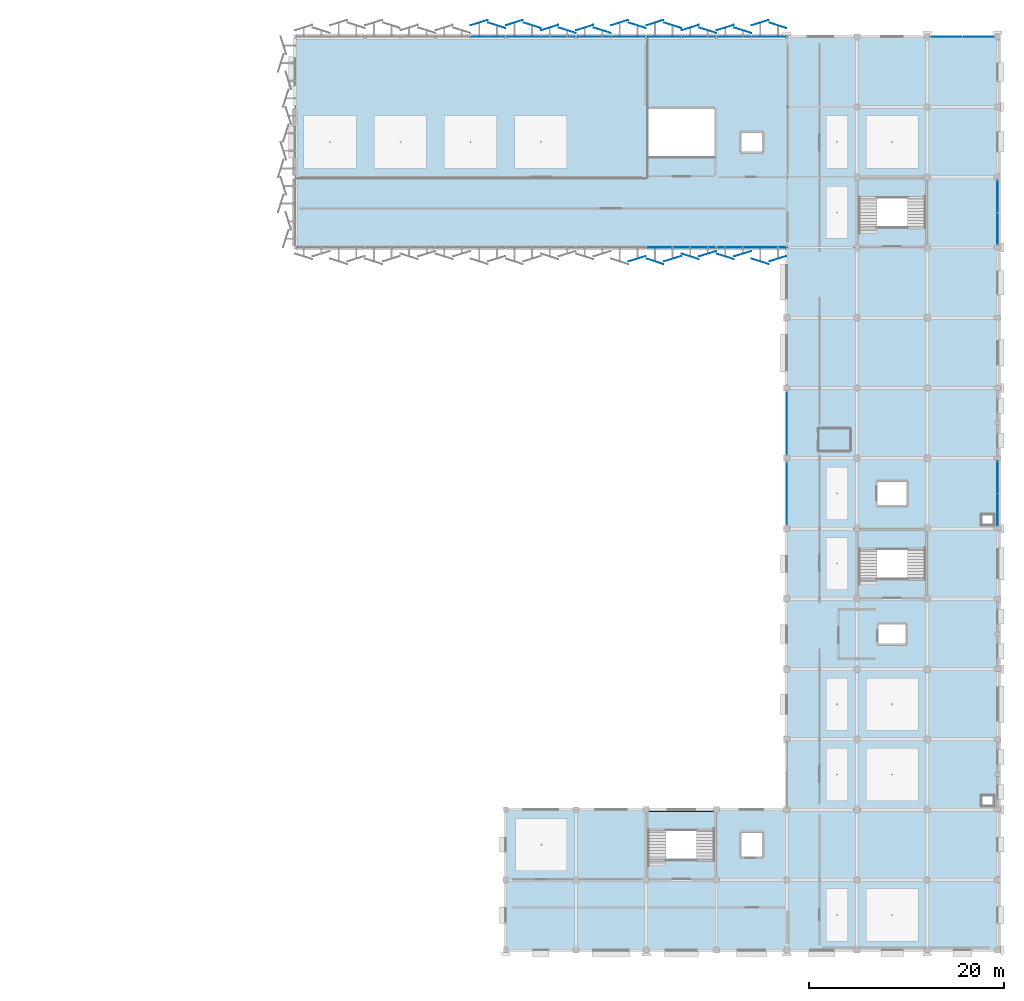
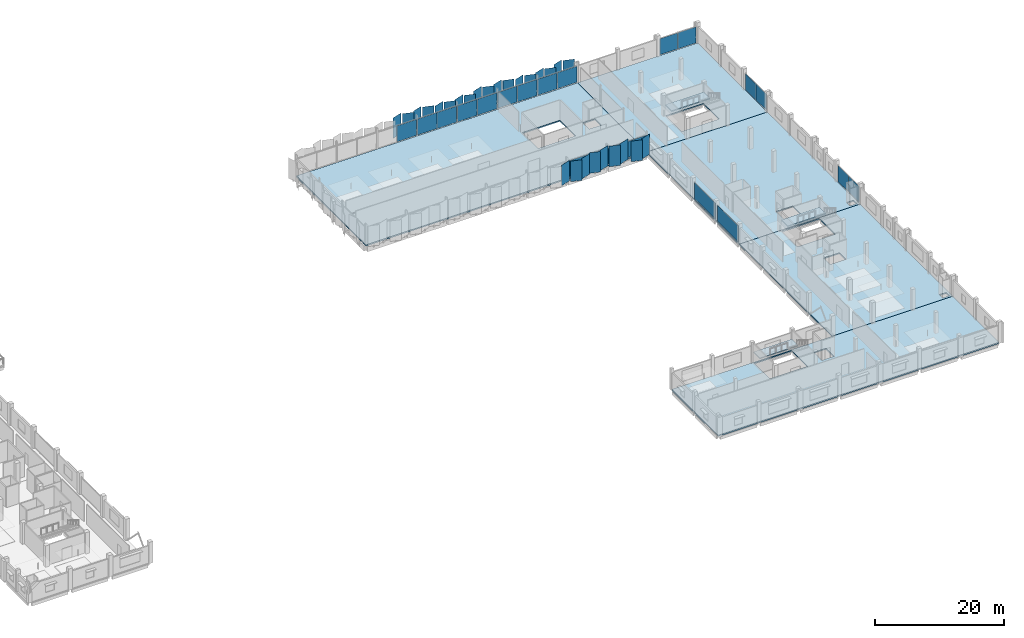
# One storey, part 49 of 77: 46 plates, 8 slabs, 15 elements without a shape of their own.
"""IFC4 building model written with IfcOpenShell, lengths in metres."""

from ifc_helpers import new_model, si_unit, direction, frame, origin, origin_2d, place, context, subcontext, project, spatial, polyline, rectangle, outline, extrude, material, layer, layer_set, type_object, element, aggregate, save


model = new_model("IFC4")

# Units and contexts
model_context = context("Model", 3, precision=1e-05, world=origin(), true_north=direction((0.0, 1.0)))
body_context = subcontext(model_context, "Body", "Model", "MODEL_VIEW")
ifc_project = project(units=[si_unit("LENGTHUNIT", "METRE"), si_unit("AREAUNIT", "SQUARE_METRE"), si_unit("VOLUMEUNIT", "CUBIC_METRE"), si_unit("PLANEANGLEUNIT", "RADIAN"), si_unit("MASSUNIT", "GRAM", prefix="KILO")], contexts=[model_context])

# Site, building, storey
site_placement = place(None, origin())
site = spatial("IfcSite", under=ifc_project, at=site_placement, CompositionType="ELEMENT")
building_placement = place(site_placement, origin())
building = spatial("IfcBuilding", under=site, at=building_placement, Name="Kangsadwip Square Police Headquarters", CompositionType="ELEMENT")
storey_placement = place(building_placement, frame((0.0, 0.0, 17.550048828125)))
storey = spatial("IfcBuildingStorey", under=building, at=storey_placement, Name="L04", CompositionType="ELEMENT", Elevation=17.550048828125)

# Curtain wall, plate
ifc_material_1 = material(Name="Thermally broken anodised aluminium AW-6063-T6", Category="aluminium")
ifc_layer_1 = layer(ifc_material_1, 0.159912109375)
ifc_layer_set_1 = layer_set([ifc_layer_1], Name="Thermally broken anodised aluminium AW-6063-T6")
curtain_wall_type_1 = type_object("IfcCurtainWallType", Name="CourtScreen7180x3300", PredefinedType="USERDEFINED", material=ifc_layer_set_1)
curtain_wall_1_placement = place(storey_placement, origin())
curtain_wall_1 = element("IfcCurtainWall", 1, at=curtain_wall_1_placement, inside=storey, type_object=curtain_wall_type_1, Name="Curtain Wall CW-L04-1296-0936", ObjectType="GLAZED_SCREEN", PredefinedType="USERDEFINED")
ifc_material_2 = material(Name="Double-glazed solar-control low-E safety glass", Category="glass")
ifc_layer_2 = layer(ifc_material_2, 0.02392578125)
ifc_layer_set_2 = layer_set([ifc_layer_2], Name="Double-glazed solar-control low-E safety glass")
plate_type_1 = type_object("IfcPlateType", Name="CwCourtVisionPanel24", PredefinedType="CURTAIN_PANEL", material=ifc_layer_set_2)
plate_1_placement = place(storey_placement, frame((133.199951171875, 93.60009765625, 0.119873046875), z_axis=(0.0, 0.0, 1.0), x_axis=(1.0, 0.0, 0.0)))
plate_1 = element("IfcPlate", 2, at=plate_1_placement, type_object=plate_type_1, Name="CW-42 panel 1.1", PredefinedType="CURTAIN_PANEL", context=body_context, shape_type="SweptSolid", body=[
    extrude(rectangle(XDim=7.06005859375, YDim=0.02392578125, at=origin_2d()), origin(), (0.0, 0.0, 1.0), 3.06005859375),
])
aggregate(curtain_wall_1, [plate_1])

curtain_wall_2_placement = place(storey_placement, origin())
curtain_wall_2 = element("IfcCurtainWall", 3, at=curtain_wall_2_placement, inside=storey, type_object=curtain_wall_type_1, Name="Curtain Wall CW-L04-1368-0936", ObjectType="GLAZED_SCREEN", PredefinedType="USERDEFINED")
plate_2_placement = place(storey_placement, frame((140.39990234375, 93.60009765625, 0.119873046875), z_axis=(0.0, 0.0, 1.0), x_axis=(1.0, 0.0, 0.0)))
plate_2 = element("IfcPlate", 4, at=plate_2_placement, type_object=plate_type_1, Name="CW-42 panel 1.1", PredefinedType="CURTAIN_PANEL", context=body_context, shape_type="SweptSolid", body=[
    extrude(rectangle(XDim=7.06005859375, YDim=0.02392578125, at=origin_2d()), origin(), (0.0, 0.0, 1.0), 3.06005859375),
])
aggregate(curtain_wall_2, [plate_2])

ifc_material_3 = material(Name="Thermally broken anodised aluminium AW-6063-T6", Category="aluminium")
ifc_layer_3 = layer(ifc_material_3, 0.159912109375)
ifc_layer_set_3 = layer_set([ifc_layer_3], Name="Thermally broken anodised aluminium AW-6063-T6")
curtain_wall_type_2 = type_object("IfcCurtainWallType", Name="CourtScreen6560x3300", PredefinedType="USERDEFINED", material=ifc_layer_set_3)
curtain_wall_3_placement = place(storey_placement, origin())
curtain_wall_3 = element("IfcCurtainWall", 5, at=curtain_wall_3_placement, inside=storey, type_object=curtain_wall_type_2, Name="Curtain Wall CW-L04-1440-0651", ObjectType="GLAZED_SCREEN", PredefinedType="USERDEFINED")
plate_3_placement = place(storey_placement, frame((144.0, 68.39990234375, 0.119873046875), z_axis=(0.0, 0.0, 1.0), x_axis=(0.0, 1.0, 0.0)))
plate_3 = element("IfcPlate", 6, at=plate_3_placement, type_object=plate_type_1, Name="CW-48 panel 1.1", PredefinedType="CURTAIN_PANEL", context=body_context, shape_type="SweptSolid", body=[
    extrude(rectangle(XDim=6.43994140625, YDim=0.02392578125, at=origin_2d()), origin(), (0.0, 0.0, 1.0), 3.06005859375),
])
aggregate(curtain_wall_3, [plate_3])

curtain_wall_4_placement = place(storey_placement, origin())
curtain_wall_4 = element("IfcCurtainWall", 7, at=curtain_wall_4_placement, inside=storey, type_object=curtain_wall_type_2, Name="Curtain Wall CW-L04-1440-0723", ObjectType="GLAZED_SCREEN", PredefinedType="USERDEFINED")
plate_4_placement = place(storey_placement, frame((144.0, 75.60009765625, 0.119873046875), z_axis=(0.0, 0.0, 1.0), x_axis=(0.0, 1.0, 0.0)))
plate_4 = element("IfcPlate", 8, at=plate_4_placement, type_object=plate_type_1, Name="CW-48 panel 1.1", PredefinedType="CURTAIN_PANEL", context=body_context, shape_type="SweptSolid", body=[
    extrude(rectangle(XDim=6.43994140625, YDim=0.02392578125, at=origin_2d()), origin(), (0.0, 0.0, 1.0), 3.06005859375),
])
aggregate(curtain_wall_4, [plate_4])

ifc_material_4 = material(Name="Thermally broken anodised aluminium AW-6063-T6", Category="aluminium")
ifc_layer_4 = layer(ifc_material_4, 0.159912109375)
ifc_layer_set_4 = layer_set([ifc_layer_4], Name="Thermally broken anodised aluminium AW-6063-T6")
curtain_wall_type_3 = type_object("IfcCurtainWallType", Name="UnitisedCw7180x3300", PredefinedType="NOTDEFINED", material=ifc_layer_set_4)
curtain_wall_5_placement = place(storey_placement, origin())
curtain_wall_5 = element("IfcCurtainWall", 9, at=curtain_wall_5_placement, inside=storey, type_object=curtain_wall_type_3, Name="Curtain Wall CW-L04-1080-1152", PredefinedType="NOTDEFINED")
ifc_material_5 = material(Name="Double-glazed solar-control low-E safety glass", Category="glass")
ifc_layer_5 = layer(ifc_material_5, 0.028076171875)
ifc_layer_set_5 = layer_set([ifc_layer_5], Name="Double-glazed solar-control low-E safety glass")
plate_type_2 = type_object("IfcPlateType", Name="CwSolarVisionPanel28", PredefinedType="CURTAIN_PANEL", material=ifc_layer_set_5)
plate_5_placement = place(storey_placement, frame((113.378662109375, 115.199951171875, 0.1298828125), z_axis=(0.0, 0.0, 1.0), x_axis=(1.0, 0.0, 0.0)))
plate_5 = element("IfcPlate", 10, at=plate_5_placement, type_object=plate_type_2, Name="CW-43 panel 2.1", PredefinedType="CURTAIN_PANEL", context=body_context, shape_type="SweptSolid", body=[
    extrude(rectangle(XDim=3.492431640625, YDim=0.028076171875, at=origin_2d()), origin(), (0.0, 0.0, 1.0), 3.0400390625),
])
aggregate(curtain_wall_5, [plate_5])

# Curtain wall, plates
curtain_wall_6_placement = place(storey_placement, origin())
curtain_wall_6 = element("IfcCurtainWall", 11, at=curtain_wall_6_placement, inside=storey, type_object=curtain_wall_type_3, Name="Curtain Wall CW-L04-1224-1152", PredefinedType="NOTDEFINED")
plate_6_placement = place(storey_placement, frame((124.22119140625, 115.199951171875, 0.1298828125), z_axis=(0.0, 0.0, 1.0), x_axis=(1.0, 0.0, 0.0)))
plate_6 = element("IfcPlate", 12, at=plate_6_placement, type_object=plate_type_2, Name="CW-43 panel 1.1", PredefinedType="CURTAIN_PANEL", context=body_context, shape_type="SweptSolid", body=[
    extrude(rectangle(XDim=3.492431640625, YDim=0.028076171875, at=origin_2d()), origin(), (0.0, 0.0, 1.0), 3.0400390625),
])
plate_7_placement = place(storey_placement, frame((127.77880859375, 115.199951171875, 0.1298828125), z_axis=(0.0, 0.0, 1.0), x_axis=(1.0, 0.0, 0.0)))
plate_7 = element("IfcPlate", 13, at=plate_7_placement, type_object=plate_type_2, Name="CW-43 panel 2.1", PredefinedType="CURTAIN_PANEL", context=body_context, shape_type="SweptSolid", body=[
    extrude(rectangle(XDim=3.492431640625, YDim=0.028076171875, at=origin_2d()), origin(), (0.0, 0.0, 1.0), 3.0400390625),
])
aggregate(curtain_wall_6, [plate_6, plate_7])

curtain_wall_7_placement = place(storey_placement, origin())
curtain_wall_7 = element("IfcCurtainWall", 14, at=curtain_wall_7_placement, inside=storey, type_object=curtain_wall_type_3, Name="Curtain Wall CW-L04-1296-1152", PredefinedType="NOTDEFINED")
plate_8_placement = place(storey_placement, frame((131.421142578125, 115.199951171875, 0.1298828125), z_axis=(0.0, 0.0, 1.0), x_axis=(1.0, 0.0, 0.0)))
plate_8 = element("IfcPlate", 15, at=plate_8_placement, type_object=plate_type_2, Name="CW-43 panel 1.1", PredefinedType="CURTAIN_PANEL", context=body_context, shape_type="SweptSolid", body=[
    extrude(rectangle(XDim=3.492431640625, YDim=0.028076171875, at=origin_2d()), origin(), (0.0, 0.0, 1.0), 3.0400390625),
])
plate_9_placement = place(storey_placement, frame((134.978759765625, 115.199951171875, 0.1298828125), z_axis=(0.0, 0.0, 1.0), x_axis=(1.0, 0.0, 0.0)))
plate_9 = element("IfcPlate", 16, at=plate_9_placement, type_object=plate_type_2, Name="CW-43 panel 2.1", PredefinedType="CURTAIN_PANEL", context=body_context, shape_type="SweptSolid", body=[
    extrude(rectangle(XDim=3.492431640625, YDim=0.028076171875, at=origin_2d()), origin(), (0.0, 0.0, 1.0), 3.0400390625),
])
aggregate(curtain_wall_7, [plate_8, plate_9])

curtain_wall_8_placement = place(storey_placement, origin())
curtain_wall_8 = element("IfcCurtainWall", 17, at=curtain_wall_8_placement, inside=storey, type_object=curtain_wall_type_3, Name="Curtain Wall CW-L04-1368-1152", PredefinedType="NOTDEFINED")
plate_10_placement = place(storey_placement, frame((138.621337890625, 115.199951171875, 0.1298828125), z_axis=(0.0, 0.0, 1.0), x_axis=(1.0, 0.0, 0.0)))
plate_10 = element("IfcPlate", 18, at=plate_10_placement, type_object=plate_type_2, Name="CW-43 panel 1.1", PredefinedType="CURTAIN_PANEL", context=body_context, shape_type="SweptSolid", body=[
    extrude(rectangle(XDim=3.492431640625, YDim=0.028076171875, at=origin_2d()), origin(), (0.0, 0.0, 1.0), 3.0400390625),
])
plate_11_placement = place(storey_placement, frame((142.1787109375, 115.199951171875, 0.1298828125), z_axis=(0.0, 0.0, 1.0), x_axis=(1.0, 0.0, 0.0)))
plate_11 = element("IfcPlate", 19, at=plate_11_placement, type_object=plate_type_2, Name="CW-43 panel 2.1", PredefinedType="CURTAIN_PANEL", context=body_context, shape_type="SweptSolid", body=[
    extrude(rectangle(XDim=3.492431640625, YDim=0.028076171875, at=origin_2d()), origin(), (0.0, 0.0, 1.0), 3.0400390625),
])
aggregate(curtain_wall_8, [plate_10, plate_11])

ifc_material_6 = material(Name="Thermally broken anodised aluminium AW-6063-T6", Category="aluminium")
ifc_layer_6 = layer(ifc_material_6, 0.159912109375)
ifc_layer_set_6 = layer_set([ifc_layer_6], Name="Thermally broken anodised aluminium AW-6063-T6")
curtain_wall_type_4 = type_object("IfcCurtainWallType", Name="UnitisedCw6610x3300", PredefinedType="NOTDEFINED", material=ifc_layer_set_6)
curtain_wall_9_placement = place(storey_placement, origin())
curtain_wall_9 = element("IfcCurtainWall", 20, at=curtain_wall_9_placement, inside=storey, type_object=curtain_wall_type_4, Name="Curtain Wall CW-L04-1587-1152", PredefinedType="NOTDEFINED")
plate_12_placement = place(storey_placement, frame((160.36376953125, 115.199951171875, 0.1298828125), z_axis=(0.0, 0.0, 1.0), x_axis=(1.0, 0.0, 0.0)))
plate_12 = element("IfcPlate", 21, at=plate_12_placement, type_object=plate_type_2, Name="CW-44 panel 1.1", PredefinedType="CURTAIN_PANEL", context=body_context, shape_type="SweptSolid", body=[
    extrude(rectangle(XDim=3.20751953125, YDim=0.028076171875, at=origin_2d()), origin(), (0.0, 0.0, 1.0), 3.0400390625),
])
plate_13_placement = place(storey_placement, frame((163.63623046875, 115.199951171875, 0.1298828125), z_axis=(0.0, 0.0, 1.0), x_axis=(1.0, 0.0, 0.0)))
plate_13 = element("IfcPlate", 22, at=plate_13_placement, type_object=plate_type_2, Name="CW-44 panel 2.1", PredefinedType="CURTAIN_PANEL", context=body_context, shape_type="SweptSolid", body=[
    extrude(rectangle(XDim=3.20751953125, YDim=0.028076171875, at=origin_2d()), origin(), (0.0, 0.0, 1.0), 3.0400390625),
])
aggregate(curtain_wall_9, [plate_12, plate_13])

ifc_material_7 = material(Name="Thermally broken anodised aluminium AW-6063-T6", Category="aluminium")
ifc_layer_7 = layer(ifc_material_7, 0.159912109375)
ifc_layer_set_7 = layer_set([ifc_layer_7], Name="Thermally broken anodised aluminium AW-6063-T6")
curtain_wall_type_5 = type_object("IfcCurtainWallType", Name="UnitisedCw6635x3300", PredefinedType="NOTDEFINED", material=ifc_layer_set_7)
curtain_wall_10_placement = place(storey_placement, origin())
curtain_wall_10 = element("IfcCurtainWall", 23, at=curtain_wall_10_placement, inside=storey, type_object=curtain_wall_type_5, Name="Curtain Wall CW-L04-1656-0938", PredefinedType="NOTDEFINED")
plate_14_placement = place(storey_placement, frame((165.60009765625, 95.52001953125, 0.1298828125), z_axis=(0.0, 0.0, 1.0), x_axis=(0.0, 1.0, 0.0)))
plate_14 = element("IfcPlate", 24, at=plate_14_placement, type_object=plate_type_2, Name="CW-49 panel 1.1", PredefinedType="CURTAIN_PANEL", context=body_context, shape_type="SweptSolid", body=[
    extrude(rectangle(XDim=3.219970703125, YDim=0.028076171875, at=origin_2d()), origin(), (0.0, 0.0, 1.0), 3.0400390625),
])
plate_15_placement = place(storey_placement, frame((165.60009765625, 98.804931640625, 0.1298828125), z_axis=(0.0, 0.0, 1.0), x_axis=(0.0, 1.0, 0.0)))
plate_15 = element("IfcPlate", 25, at=plate_15_placement, type_object=plate_type_2, Name="CW-49 panel 2.1", PredefinedType="CURTAIN_PANEL", context=body_context, shape_type="SweptSolid", body=[
    extrude(rectangle(XDim=3.219970703125, YDim=0.028076171875, at=origin_2d()), origin(), (0.0, 0.0, 1.0), 3.0400390625),
])
aggregate(curtain_wall_10, [plate_14, plate_15])

curtain_wall_11_placement = place(storey_placement, origin())
curtain_wall_11 = element("IfcCurtainWall", 26, at=curtain_wall_11_placement, inside=storey, type_object=curtain_wall_type_3, Name="Curtain Wall CW-L04-1152-1152", PredefinedType="NOTDEFINED")
ifc_material_8 = material(Name="Insulated ceramic-fritted spandrel safety glass", Category="glass")
ifc_layer_8 = layer(ifc_material_8, 0.0400390625)
ifc_layer_set_8 = layer_set([ifc_layer_8], Name="Insulated ceramic-fritted spandrel safety glass")
plate_type_3 = type_object("IfcPlateType", Name="CwSpandrelSheetPanel40", PredefinedType="SHEET", material=ifc_layer_set_8)
plate_16_placement = place(storey_placement, frame((117.021240234375, 115.199951171875, 0.1298828125), z_axis=(0.0, 0.0, 1.0), x_axis=(1.0, 0.0, 0.0)))
plate_16 = element("IfcPlate", 27, at=plate_16_placement, type_object=plate_type_3, Name="CW-43 panel 1.1", PredefinedType="SHEET", context=body_context, shape_type="SweptSolid", body=[
    extrude(rectangle(XDim=3.492431640625, YDim=0.0400390625, at=origin_2d()), origin(), (0.0, 0.0, 1.0), 3.0400390625),
])
plate_17_placement = place(storey_placement, frame((120.578857421875, 115.199951171875, 0.1298828125), z_axis=(0.0, 0.0, 1.0), x_axis=(1.0, 0.0, 0.0)))
plate_17 = element("IfcPlate", 28, at=plate_17_placement, type_object=plate_type_3, Name="CW-43 panel 2.1", PredefinedType="SHEET", context=body_context, shape_type="SweptSolid", body=[
    extrude(rectangle(XDim=3.492431640625, YDim=0.0400390625, at=origin_2d()), origin(), (0.0, 0.0, 1.0), 3.0400390625),
])
aggregate(curtain_wall_11, [plate_16, plate_17])

ifc_material_9 = material(Name="Thermally broken anodised aluminium AW-6063-T6", Category="aluminium")
ifc_layer_9 = layer(ifc_material_9, 0.159912109375)
ifc_layer_set_9 = layer_set([ifc_layer_9], Name="Thermally broken anodised aluminium AW-6063-T6")
curtain_wall_type_6 = type_object("IfcCurtainWallType", Name="UnitisedCw6710x3300", PredefinedType="NOTDEFINED", material=ifc_layer_set_9)
curtain_wall_12_placement = place(storey_placement, origin())
curtain_wall_12 = element("IfcCurtainWall", 29, at=curtain_wall_12_placement, inside=storey, type_object=curtain_wall_type_6, Name="Curtain Wall CW-L04-1656-0650", PredefinedType="NOTDEFINED")
plate_18_placement = place(storey_placement, frame((165.60009765625, 66.73876953125, 0.1298828125), z_axis=(0.0, 0.0, 1.0), x_axis=(0.0, 1.0, 0.0)))
plate_18 = element("IfcPlate", 30, at=plate_18_placement, type_object=plate_type_3, Name="CW-45 panel 1.1", PredefinedType="SHEET", context=body_context, shape_type="SweptSolid", body=[
    extrude(rectangle(XDim=3.257568359375, YDim=0.0400390625, at=origin_2d()), origin(), (0.0, 0.0, 1.0), 3.0400390625),
])
plate_19_placement = place(storey_placement, frame((165.60009765625, 70.061279296875, 0.1298828125), z_axis=(0.0, 0.0, 1.0), x_axis=(0.0, 1.0, 0.0)))
plate_19 = element("IfcPlate", 31, at=plate_19_placement, type_object=plate_type_3, Name="CW-45 panel 2.1", PredefinedType="SHEET", context=body_context, shape_type="SweptSolid", body=[
    extrude(rectangle(XDim=3.257568359375, YDim=0.0400390625, at=origin_2d()), origin(), (0.0, 0.0, 1.0), 3.0400390625),
])
aggregate(curtain_wall_12, [plate_18, plate_19])

# Slabs
ifc_material_10 = material(Name="Concrete M35 (35 MPa)", Category="concrete")
ifc_layer_10 = layer(ifc_material_10, 0.239990234375)
ifc_layer_set_10 = layer_set([ifc_layer_10], Name="Concrete M35 (35 MPa)")
slab_type_1 = type_object("IfcSlabType", Name="MainFloorSlab240", PredefinedType="FLOOR", material=ifc_layer_set_10)
slab_1_placement = place(storey_placement, frame((0.0, 0.0, -0.239990234375)))
element("IfcSlab", 32, at=slab_1_placement, inside=storey, type_object=slab_type_1, Name="L04 Vol2 Slab SL-L04-047", PredefinedType="FLOOR", context=body_context, shape_type="SweptSolid", body=[
    extrude(outline(polyline([(93.60009765625, 93.60009765625), (93.60009765625, 115.199951171875), (144.0, 115.199951171875), (144.0, 93.60009765625), (93.60009765625, 93.60009765625)]), holes=[polyline([(141.47509765625, 103.425048828125), (141.47509765625, 105.375), (139.324951171875, 105.375), (139.324951171875, 103.425048828125), (141.47509765625, 103.425048828125)]), polyline([(129.820068359375, 102.8798828125), (136.580078125, 102.8798828125), (136.580078125, 107.780029296875), (129.820068359375, 107.780029296875), (129.820068359375, 102.8798828125)])]), origin(), (0.0, 0.0, 1.0), 0.239990234375),
])
slab_2_placement = place(storey_placement, frame((0.0, 0.0, -0.239990234375)))
element("IfcSlab", 33, at=slab_2_placement, inside=storey, type_object=slab_type_1, Name="L04 Vol6N Slab SL-L04-048", PredefinedType="FLOOR", context=body_context, shape_type="SweptSolid", body=[
    extrude(outline(polyline([(144.0, 93.60009765625), (144.0, 115.199951171875), (165.60009765625, 115.199951171875), (165.60009765625, 93.60009765625), (144.0, 93.60009765625)]), holes=[polyline([(158.179931640625, 95.679931640625), (158.179931640625, 100.580078125), (151.419921875, 100.580078125), (151.419921875, 95.679931640625), (158.179931640625, 95.679931640625)])]), origin(), (0.0, 0.0, 1.0), 0.239990234375),
])
slab_3_placement = place(storey_placement, frame((0.0, 0.0, -0.239990234375)))
element("IfcSlab", 34, at=slab_3_placement, inside=storey, type_object=slab_type_1, Name="L04 Vol6S Slab SL-L04-051", PredefinedType="FLOOR", context=body_context, shape_type="SweptSolid", body=[
    extrude(outline(polyline([(144.0, 36.0), (144.0, 64.800048828125), (165.60009765625, 64.800048828125), (165.60009765625, 36.0), (144.0, 36.0)]), holes=[polyline([(165.199951171875, 37.39990234375), (164.0, 37.39990234375), (164.0, 36.39990234375), (165.199951171875, 36.39990234375), (165.199951171875, 37.39990234375)]), polyline([(156.199951171875, 55.0), (153.39990234375, 55.0), (153.39990234375, 53.0), (156.199951171875, 53.0), (156.199951171875, 55.0)]), polyline([(158.179931640625, 59.679931640625), (158.179931640625, 64.580078125), (151.419921875, 64.580078125), (151.419921875, 59.679931640625), (158.179931640625, 59.679931640625)])]), origin(), (0.0, 0.0, 1.0), 0.239990234375),
])
slab_4_placement = place(storey_placement, frame((0.0, 0.0, -0.239990234375)))
element("IfcSlab", 35, at=slab_4_placement, inside=storey, type_object=slab_type_1, Name="L04 Vol6N Slab SL-L04-052", PredefinedType="FLOOR", context=body_context, shape_type="SweptSolid", body=[
    extrude(outline(polyline([(144.0, 64.800048828125), (144.0, 93.60009765625), (165.60009765625, 93.60009765625), (165.60009765625, 64.800048828125), (144.0, 64.800048828125)]), holes=[polyline([(165.199951171875, 66.199951171875), (164.0, 66.199951171875), (164.0, 65.199951171875), (165.199951171875, 65.199951171875), (165.199951171875, 66.199951171875)]), polyline([(156.300048828125, 69.60009765625), (153.300048828125, 69.60009765625), (153.300048828125, 67.199951171875), (156.300048828125, 67.199951171875), (156.300048828125, 69.60009765625)])]), origin(), (0.0, 0.0, 1.0), 0.239990234375),
])
slab_5_placement = place(storey_placement, frame((0.0, 0.0, -0.239990234375)))
element("IfcSlab", 36, at=slab_5_placement, inside=storey, type_object=slab_type_1, Name="L04 Vol7 Slab SL-L04-053", PredefinedType="FLOOR", context=body_context, shape_type="SweptSolid", body=[
    extrude(outline(polyline([(115.199951171875, 21.60009765625), (115.199951171875, 36.0), (165.60009765625, 36.0), (165.60009765625, 21.60009765625), (115.199951171875, 21.60009765625)]), holes=[polyline([(136.580078125, 30.8798828125), (136.580078125, 35.780029296875), (129.820068359375, 35.780029296875), (129.820068359375, 30.8798828125), (136.580078125, 30.8798828125)]), polyline([(141.47509765625, 33.64990234375), (139.324951171875, 33.64990234375), (139.324951171875, 31.14990234375), (141.47509765625, 31.14990234375), (141.47509765625, 33.64990234375)])]), origin(), (0.0, 0.0, 1.0), 0.239990234375),
])

# Plates
ifc_material_11 = material(Name="PVDF-coated perforated marine-grade aluminium AW-5052-H32", Category="aluminium")
ifc_layer_11 = layer(ifc_material_11, 0.006103515625)
ifc_layer_set_11 = layer_set([ifc_layer_11], Name="PVDF-coated perforated marine-grade aluminium AW-5052-H32")
plate_type_4 = type_object("IfcPlateType", Name="PleatedVeilFacet1", PredefinedType="USERDEFINED", material=ifc_layer_set_11)
for number, where, z_axis, x_axis, name in (
    (37, (112.5, 116.634521484375, 0.070068359375), (0.0, 0.0, 1.0), (0.953716950748, 0.300705799504, 0.0), "Pleated Perforated Veil Facet PVF-L04-0151"),
    (38, (114.300048828125, 116.3544921875, 0.070068359375), (0.0, 0.0, 1.0), (0.953716950748, -0.300705799504, 0.0), "Pleated Perforated Veil Facet PVF-L04-0152"),
    (39, (116.10009765625, 116.634521484375, 0.070068359375), (0.0, 0.0, 1.0), (0.953716950748, 0.300705799504, 0.0), "Pleated Perforated Veil Facet PVF-L04-0153"),
    (40, (117.89990234375, 116.3544921875, 0.070068359375), (0.0, 0.0, 1.0), (0.953716950748, -0.300705799504, 0.0), "Pleated Perforated Veil Facet PVF-L04-0154"),
    (41, (119.699951171875, 116.12548828125, 0.070068359375), (0.0, 0.0, 1.0), (0.953716950748, 0.300705799504, 0.0), "Pleated Perforated Veil Facet PVF-L04-0155"),
    (42, (121.5, 115.845458984375, 0.070068359375), (0.0, 0.0, 1.0), (0.953716950748, -0.300705799504, 0.0), "Pleated Perforated Veil Facet PVF-L04-0156"),
    (43, (123.300048828125, 116.12548828125, 0.070068359375), (0.0, 0.0, 1.0), (0.953716950748, 0.300705799504, 0.0), "Pleated Perforated Veil Facet PVF-L04-0157"),
    (44, (125.10009765625, 115.845458984375, 0.070068359375), (0.0, 0.0, 1.0), (0.953716950748, -0.300705799504, 0.0), "Pleated Perforated Veil Facet PVF-L04-0158"),
    (45, (126.89990234375, 116.634521484375, 0.070068359375), (0.0, 0.0, 1.0), (0.953716950748, 0.300705799504, 0.0), "Pleated Perforated Veil Facet PVF-L04-0159"),
    (46, (128.699951171875, 116.3544921875, 0.070068359375), (0.0, 0.0, 1.0), (0.953716950748, -0.300705799504, 0.0), "Pleated Perforated Veil Facet PVF-L04-0160"),
    (47, (130.5, 116.634521484375, 0.070068359375), (0.0, 0.0, 1.0), (0.953716950748, 0.300705799504, 0.0), "Pleated Perforated Veil Facet PVF-L04-0161"),
    (48, (132.300048828125, 116.3544921875, 0.070068359375), (0.0, 0.0, 1.0), (0.953716950748, -0.300705799504, 0.0), "Pleated Perforated Veil Facet PVF-L04-0162"),
    (49, (134.10009765625, 116.12548828125, 0.070068359375), (0.0, 0.0, 1.0), (0.953716950748, 0.300705799504, 0.0), "Pleated Perforated Veil Facet PVF-L04-0163"),
    (50, (135.89990234375, 115.845458984375, 0.070068359375), (0.0, 0.0, 1.0), (0.953716950748, -0.300705799504, 0.0), "Pleated Perforated Veil Facet PVF-L04-0164"),
    (51, (137.699951171875, 116.12548828125, 0.070068359375), (0.0, 0.0, 1.0), (0.953716950748, 0.300705799504, 0.0), "Pleated Perforated Veil Facet PVF-L04-0165"),
    (52, (139.5, 115.845458984375, 0.070068359375), (0.0, 0.0, 1.0), (0.953716950748, -0.300705799504, 0.0), "Pleated Perforated Veil Facet PVF-L04-0166"),
    (53, (141.300048828125, 116.634521484375, 0.070068359375), (0.0, 0.0, 1.0), (0.953716950748, 0.300705799504, 0.0), "Pleated Perforated Veil Facet PVF-L04-0167"),
    (54, (143.10009765625, 116.3544921875, 0.070068359375), (0.0, 0.0, 1.0), (0.953716950748, -0.300705799504, 0.0), "Pleated Perforated Veil Facet PVF-L04-0168"),
    (55, (128.699951171875, 92.4453125, 0.070068359375), (0.0, 0.0, 1.0), (0.953716950748, 0.300705799504, 0.0), "Pleated Perforated Veil Facet PVF-L04-0356"),
    (56, (130.5, 92.165283203125, 0.070068359375), (0.0, 0.0, 1.0), (0.953716950748, -0.300705799504, 0.0), "Pleated Perforated Veil Facet PVF-L04-0357"),
    (57, (132.300048828125, 92.4453125, 0.070068359375), (0.0, 0.0, 1.0), (0.953716950748, 0.300705799504, 0.0), "Pleated Perforated Veil Facet PVF-L04-0358"),
    (58, (134.10009765625, 92.674560546875, 0.070068359375), (0.0, 0.0, 1.0), (0.953716950748, -0.300705799504, 0.0), "Pleated Perforated Veil Facet PVF-L04-0359"),
    (59, (135.89990234375, 92.95458984375, 0.070068359375), (0.0, 0.0, 1.0), (0.953716950748, 0.300705799504, 0.0), "Pleated Perforated Veil Facet PVF-L04-0360"),
    (60, (137.699951171875, 92.674560546875, 0.070068359375), (0.0, 0.0, 1.0), (0.953716950748, -0.300705799504, 0.0), "Pleated Perforated Veil Facet PVF-L04-0361"),
    (61, (139.5, 92.95458984375, 0.070068359375), (0.0, 0.0, 1.0), (0.953716950748, 0.300705799504, 0.0), "Pleated Perforated Veil Facet PVF-L04-0362"),
    (62, (141.300048828125, 92.165283203125, 0.070068359375), (0.0, 0.0, 1.0), (0.953716950748, -0.300705799504, 0.0), "Pleated Perforated Veil Facet PVF-L04-0363"),
    (63, (143.10009765625, 92.4453125, 0.070068359375), (0.0, 0.0, 1.0), (0.953716950748, 0.300705799504, 0.0), "Pleated Perforated Veil Facet PVF-L04-0364"),
):
    element("IfcPlate", number, at=place(storey_placement, frame(where, z_axis=z_axis, x_axis=x_axis)), inside=storey, type_object=plate_type_4, Name=name, ObjectType="VEIL_FACET", PredefinedType="USERDEFINED", context=body_context, shape_type="SweptSolid", body=[
        extrude(rectangle(XDim=1.820068359375, YDim=0.006103515625, at=origin_2d()), origin(), (0.0, 0.0, 1.0), 3.89990234375),
    ])

# Stair, slab
ifc_material_12 = material(Name="Concrete M35 (35 MPa)", Category="concrete")
stair_type = type_object("IfcStairType", Name="Stair2FlightTypW1850", PredefinedType="HALF_TURN_STAIR", material=ifc_material_12)
stair_1_placement = place(storey_placement, origin())
stair_1 = element("IfcStair", 64, at=stair_1_placement, inside=storey, type_object=stair_type, Name="Protected Stair ST-03 L04", PredefinedType="HALF_TURN_STAIR")
ifc_material_13 = material(Name="Concrete M35 (35 MPa)", Category="concrete")
ifc_layer_12 = layer(ifc_material_13, 0.199951171875)
ifc_layer_set_12 = layer_set([ifc_layer_12], Name="Concrete M35 (35 MPa)")
slab_type_2 = type_object("IfcSlabType", Name="StairLandingSlab200", PredefinedType="LANDING", material=ifc_layer_set_12)
slab_6_placement = place(storey_placement, frame((0.0, 0.0, 1.906005859375)))
slab_6 = element("IfcSlab", 65, at=slab_6_placement, type_object=slab_type_2, Name="ST-03 landing 1", PredefinedType="LANDING", context=body_context, shape_type="SweptSolid", body=[
    extrude(outline(polyline([(151.3701171875, 62.679931640625), (158.22998046875, 62.679931640625), (158.22998046875, 64.6298828125), (151.3701171875, 64.6298828125), (151.3701171875, 62.679931640625)])), origin(), (0.0, 0.0, 1.0), 0.199951171875),
])
aggregate(stair_1, [slab_6])

stair_2_placement = place(storey_placement, origin())
stair_2 = element("IfcStair", 66, at=stair_2_placement, inside=storey, type_object=stair_type, Name="Protected Stair ST-04 L04", PredefinedType="HALF_TURN_STAIR")
slab_7_placement = place(storey_placement, frame((0.0, 0.0, 1.906005859375)))
slab_7 = element("IfcSlab", 67, at=slab_7_placement, type_object=slab_type_2, Name="ST-04 landing 1", PredefinedType="LANDING", context=body_context, shape_type="SweptSolid", body=[
    extrude(outline(polyline([(151.3701171875, 98.679931640625), (158.22998046875, 98.679931640625), (158.22998046875, 100.6298828125), (151.3701171875, 100.6298828125), (151.3701171875, 98.679931640625)])), origin(), (0.0, 0.0, 1.0), 0.199951171875),
])
aggregate(stair_2, [slab_7])

stair_3_placement = place(storey_placement, origin())
stair_3 = element("IfcStair", 68, at=stair_3_placement, inside=storey, type_object=stair_type, Name="Protected Stair ST-06 L04", PredefinedType="HALF_TURN_STAIR")
slab_8_placement = place(storey_placement, frame((0.0, 0.0, 1.906005859375)))
slab_8 = element("IfcSlab", 69, at=slab_8_placement, type_object=slab_type_2, Name="ST-06 landing 1", PredefinedType="LANDING", context=body_context, shape_type="SweptSolid", body=[
    extrude(outline(polyline([(129.77001953125, 33.8798828125), (136.6298828125, 33.8798828125), (136.6298828125, 35.830078125), (129.77001953125, 35.830078125), (129.77001953125, 33.8798828125)])), origin(), (0.0, 0.0, 1.0), 0.199951171875),
])
aggregate(stair_3, [slab_8])

save(model, "model.ifc")
